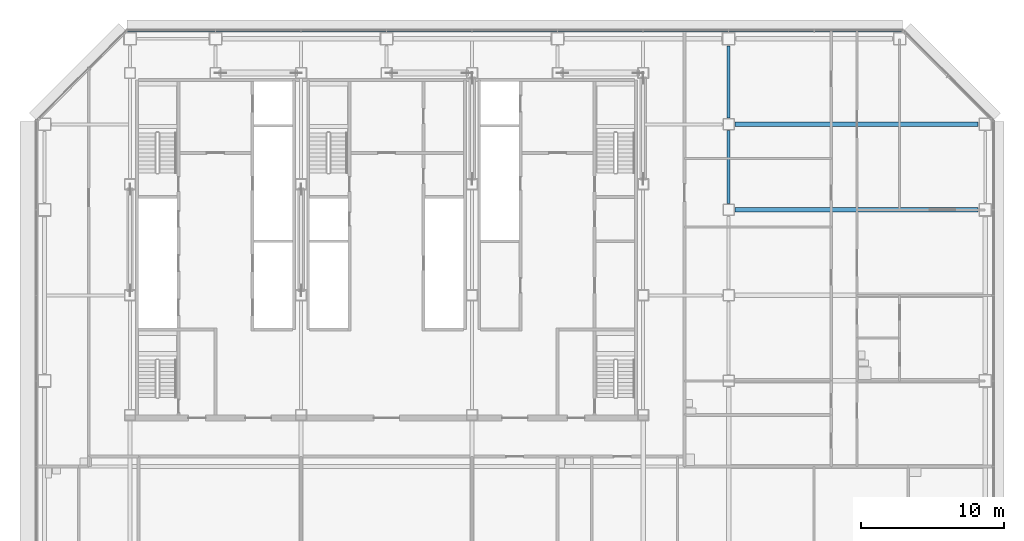
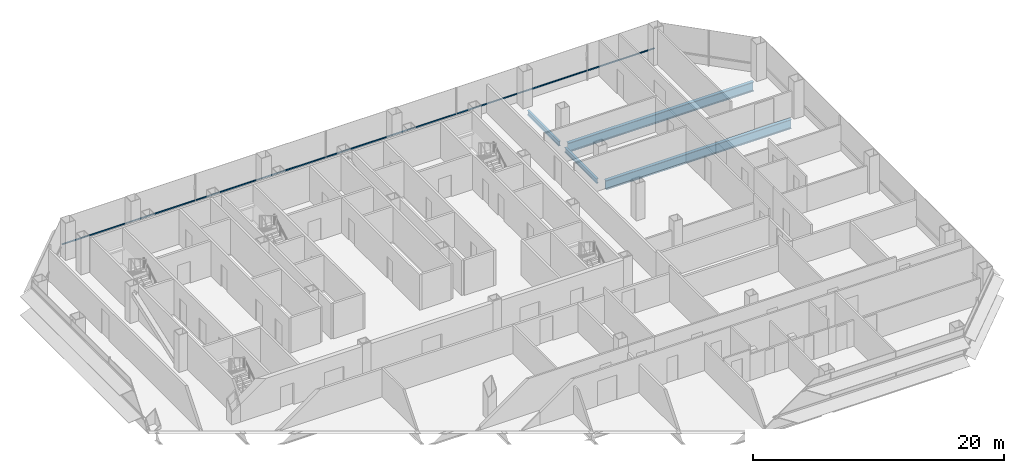
# One storey, part 14 of 27: 4 beams, 1 member, 1 element without a shape of its own.
"""IFC4 building model written with IfcOpenShell, lengths in metres."""

from ifc_helpers import new_model, si_unit, direction, frame, origin, origin_2d, place, context, subcontext, project, spatial, rectangle, i_section, extrude, material, material_profile, profile_set, type_object, element, aggregate, save


model = new_model("IFC4")

# Units and contexts
model_context = context("Model", 3, precision=1e-05, world=origin(), true_north=direction((0.0, 1.0)))
body_context = subcontext(model_context, "Body", "Model", "MODEL_VIEW")
ifc_project = project(units=[si_unit("LENGTHUNIT", "METRE"), si_unit("AREAUNIT", "SQUARE_METRE"), si_unit("VOLUMEUNIT", "CUBIC_METRE"), si_unit("PLANEANGLEUNIT", "RADIAN"), si_unit("MASSUNIT", "GRAM", prefix="KILO")], contexts=[model_context])

# Site, building, storey
site_placement = place(None, origin())
site = spatial("IfcSite", under=ifc_project, at=site_placement, CompositionType="ELEMENT")
building_placement = place(site_placement, origin())
building = spatial("IfcBuilding", under=site, at=building_placement, Name="Sorahane Residences", CompositionType="ELEMENT")
storey_placement = place(building_placement, frame((0.0, 0.0, 49.800048828125)))
storey = spatial("IfcBuildingStorey", under=building, at=storey_placement, Name="L08", CompositionType="ELEMENT", Elevation=49.800048828125)

# Curtain wall, member
ifc_material_1 = material(Name="Dark low-e glass and black anodised aluminium", Category="aluminium")
curtain_wall_type = type_object("IfcCurtainWallType", Name="Curtain wall CW-1 Typical unitised wall", PredefinedType="NOTDEFINED", material=ifc_material_1)
curtain_wall_placement = place(storey_placement, origin())
curtain_wall = element("IfcCurtainWall", 1, at=curtain_wall_placement, inside=storey, type_object=curtain_wall_type, Name="CW-1 curtain wall L08 N1", PredefinedType="NOTDEFINED")
ifc_material_2 = material(Name="Black anodised aluminium", Category="aluminium")
ifc_material_profile_1 = material_profile(ifc_material_2, rectangle(XDim=0.10009765625, YDim=0.06005859375, at=origin_2d()), Name="Curtain wall transom CW-1 black anodised aluminium 60x100")
ifc_profile_set_1 = profile_set([ifc_material_profile_1], Name="Black anodised aluminium")
member_type = type_object("IfcMemberType", Name="Curtain wall transom CW-1 black anodised aluminium 60x100", PredefinedType="USERDEFINED", material=ifc_profile_set_1)
member_placement = place(storey_placement, frame((60.198486328125, 48.530029296875, 0.89990234375), z_axis=(-1.0, 0.0, 0.0), x_axis=(0.0, -1.0, 0.0)))
member = element("IfcMember", 2, at=member_placement, type_object=member_type, Name="CW-1 transom L08 N1", ObjectType="TRANSOM", PredefinedType="USERDEFINED", context=body_context, shape_type="SweptSolid", body=[
    extrude(rectangle(XDim=0.10009765625, YDim=0.06005859375, at=origin_2d()), origin(), (0.0, 0.0, 1.0), 54.39697265625),
])
aggregate(curtain_wall, [member])

# Beams
ifc_material_3 = material(Name="Steel Q355B", Category="steel")
ifc_material_profile_2 = material_profile(ifc_material_3, i_section(OverallWidth=0.199951171875, OverallDepth=0.449951171875, WebThickness=0.009033203125, FlangeThickness=0.013916015625, FilletRadius=0.02001953125, at=origin_2d()), Name="HN 450x200x9x14")
ifc_profile_set_2 = profile_set([ifc_material_profile_2], Name="Steel Q355B")
beam_type_1 = type_object("IfcBeamType", Name="Steel floor beam HN 450x200x9x14 Q355B", PredefinedType="BEAM", material=ifc_profile_set_2)
beam_1_placement = place(storey_placement, frame((48.0, 36.449951171875, -0.405029296875), z_axis=(0.0, 1.0, 0.0), x_axis=(-1.0, 0.0, 0.0)))
element("IfcBeam", 3, at=beam_1_placement, inside=storey, type_object=beam_type_1, Name="Beam L08 055", PredefinedType="BEAM", context=body_context, shape_type="SweptSolid", body=[
    extrude(i_section(OverallWidth=0.199951171875, OverallDepth=0.449951171875, WebThickness=0.009033203125, FlangeThickness=0.013916015625, FilletRadius=0.02001953125, at=origin_2d()), origin(), (0.0, 0.0, 1.0), 5.10009765625),
])
beam_2_placement = place(storey_placement, frame((48.0, 42.449951171875, -0.405029296875), z_axis=(0.0, 1.0, 0.0), x_axis=(-1.0, 0.0, 0.0)))
element("IfcBeam", 4, at=beam_2_placement, inside=storey, type_object=beam_type_1, Name="Beam L08 056", PredefinedType="BEAM", context=body_context, shape_type="SweptSolid", body=[
    extrude(i_section(OverallWidth=0.199951171875, OverallDepth=0.449951171875, WebThickness=0.009033203125, FlangeThickness=0.013916015625, FilletRadius=0.02001953125, at=origin_2d()), origin(), (0.0, 0.0, 1.0), 5.050048828125),
])
ifc_material_4 = material(Name="Steel Q355B", Category="steel")
ifc_material_profile_3 = material_profile(ifc_material_4, i_section(OverallWidth=0.300048828125, OverallDepth=0.89990234375, WebThickness=0.01611328125, FlangeThickness=0.028076171875, FilletRadius=0.028076171875, at=origin_2d()), Name="HN 900x300x16x28")
ifc_profile_set_3 = profile_set([ifc_material_profile_3], Name="Steel Q355B")
beam_type_2 = type_object("IfcBeamType", Name="Steel floor beam HN 900x300x16x28 Q355B", PredefinedType="BEAM", material=ifc_profile_set_3)
for number, where, z_axis, x_axis, name in (
    (5, (48.449951171875, 36.0, -0.630126953125), (1.0, 0.0, 0.0), (0.0, 1.0, 0.0), "Beam L08 011"),
    (6, (48.449951171875, 42.0, -0.630126953125), (1.0, 0.0, 0.0), (0.0, 1.0, 0.0), "Beam L08 081"),
):
    element("IfcBeam", number, at=place(storey_placement, frame(where, z_axis=z_axis, x_axis=x_axis)), inside=storey, type_object=beam_type_2, Name=name, PredefinedType="BEAM", context=body_context, shape_type="SweptSolid", body=[
        extrude(i_section(OverallWidth=0.300048828125, OverallDepth=0.89990234375, WebThickness=0.01611328125, FlangeThickness=0.028076171875, FilletRadius=0.028076171875, at=origin_2d()), origin(), (0.0, 0.0, 1.0), 17.050048828125),
    ])

save(model, "model.ifc")
